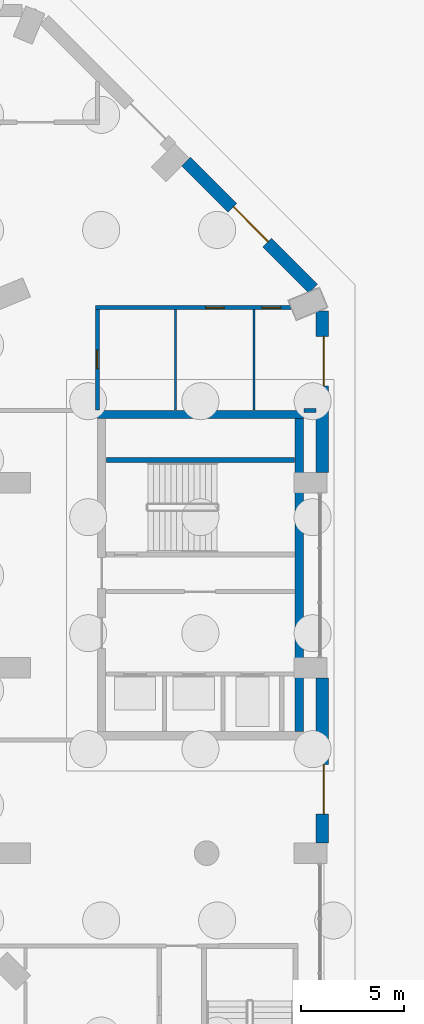
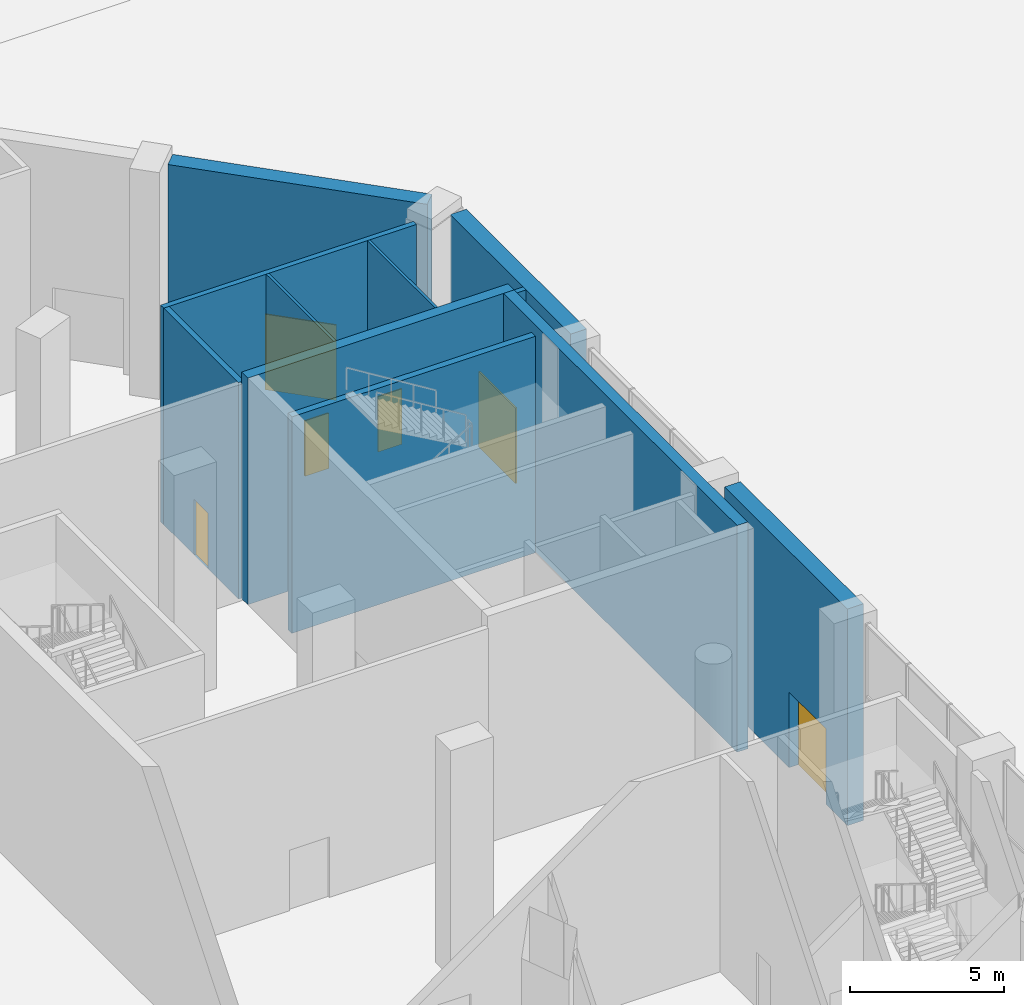
# One storey, part 13 of 25: 11 walls, 6 doors, 6 openings.
"""IFC4 building model written with IfcOpenShell, lengths in metres."""

from ifc_helpers import new_model, si_unit, direction, frame, frame_2d, origin, place, context, subcontext, project, spatial, rectangle, extrude, material, layer, layer_set, type_object, element, fill, save


model = new_model("IFC4")

# Units and contexts
model_context = context("Model", 3, precision=1e-05, world=origin(), true_north=direction((0.0, 1.0)))
body_context = subcontext(model_context, "Body", "Model", "MODEL_VIEW")
ifc_project = project(units=[si_unit("LENGTHUNIT", "METRE"), si_unit("AREAUNIT", "SQUARE_METRE"), si_unit("VOLUMEUNIT", "CUBIC_METRE"), si_unit("PLANEANGLEUNIT", "RADIAN"), si_unit("MASSUNIT", "GRAM", prefix="KILO")], contexts=[model_context])

# Site, building, storey
site_placement = place(None, origin())
site = spatial("IfcSite", under=ifc_project, at=site_placement, CompositionType="ELEMENT")
building_placement = place(site_placement, origin())
building = spatial("IfcBuilding", under=site, at=building_placement, Name="Cypress Arch Tower", CompositionType="ELEMENT")
storey_placement = place(building_placement, origin())
storey = spatial("IfcBuildingStorey", under=building, at=storey_placement, Name="L00", CompositionType="ELEMENT", Elevation=0.0)

# Wall, opening, door
ifc_material_1 = material(Name="Brick (red buff blend) on blockwork backing", Category="masonry")
ifc_layer_1 = layer(ifc_material_1, 0.60009765625)
ifc_layer_set_1 = layer_set([ifc_layer_1], Name="Brick base wall BW600")
wall_type_1 = type_object("IfcWallType", Name="Brick base wall BW600", PredefinedType="ELEMENTEDWALL", material=ifc_layer_set_1)
wall_1_placement = place(storey_placement, frame((38.925048828125, -13.0, 0.0), z_axis=(0.0, 0.0, 1.0), x_axis=(0.0, 1.0, 0.0)))
wall_1 = element("IfcWall", 1, at=wall_1_placement, inside=storey, type_object=wall_type_1, Name="Brick wall L00 P01.2", PredefinedType="ELEMENTEDWALL", context=body_context, shape_type="SweptSolid", body=[
    extrude(rectangle(XDim=8.0, YDim=0.60009765625, at=frame_2d((4.0, 0.0))), origin(), (0.0, 0.0, 1.0), 8.60009765625),
])
opening_1_placement = place(wall_1_placement, frame((1.39990234375, 0.0, 0.0)))
opening_1 = element("IfcOpeningElement", 2, at=opening_1_placement, cuts=wall_1, Name="Opening DE2400", PredefinedType="OPENING", context=body_context, shape_type="SweptSolid", body=[
    extrude(rectangle(XDim=2.39990234375, YDim=3.0, at=frame_2d((1.199951171875, 1.5))), frame((0.0, 0.31005859375, 0.0), z_axis=(0.0, -1.0, 0.0), x_axis=(1.0, 0.0, 0.0)), (0.0, 0.0, 1.0), 0.6201171875),
])
ifc_material_2 = material(Name="Anodised aluminium, bronze finish, clear low-emissivity double glazing", Category="aluminium")
door_type_1 = type_object("IfcDoorType", Name="Entrance door double 2400x3000", OperationType="DOUBLE_DOOR_SINGLE_SWING", PredefinedType="DOOR", material=ifc_material_2)
door_1_placement = place(opening_1_placement, origin())
door_1 = element("IfcDoor", 3, at=door_1_placement, inside=storey, type_object=door_type_1, Name="Exterior door L00 P01.2.1", OperationType="DOUBLE_DOOR_SINGLE_SWING", OverallHeight=3.0, OverallWidth=2.39990234375, PredefinedType="DOOR", context=body_context, shape_type="SweptSolid", body=[
    extrude(rectangle(XDim=2.39990234375, YDim=3.0, at=frame_2d((1.199951171875, 1.5))), frame((0.0, -0.0498046875, 0.0), z_axis=(0.0, -1.0, 0.0), x_axis=(1.0, 0.0, 0.0)), (0.0, 0.0, 1.0), 0.050048828125),
])
fill(opening_1, door_1)

wall_2_placement = place(storey_placement, frame((38.925048828125, 5.0, 0.0), z_axis=(0.0, 0.0, 1.0), x_axis=(0.0, 1.0, 0.0)))
wall_2 = element("IfcWall", 4, at=wall_2_placement, inside=storey, type_object=wall_type_1, Name="Brick wall L00 P01.4", PredefinedType="ELEMENTEDWALL", context=body_context, shape_type="SweptSolid", body=[
    extrude(rectangle(XDim=7.83447265625, YDim=0.60009765625, at=frame_2d((3.917236328125, 0.0))), origin(), (0.0, 0.0, 1.0), 8.60009765625),
])
opening_2_placement = place(wall_2_placement, frame((4.199951171875, 0.0, 0.0)))
opening_2 = element("IfcOpeningElement", 5, at=opening_2_placement, cuts=wall_2, Name="Opening DE2400", PredefinedType="OPENING", context=body_context, shape_type="SweptSolid", body=[
    extrude(rectangle(XDim=2.39990234375, YDim=3.0, at=frame_2d((1.199951171875, 1.5))), frame((0.0, 0.31005859375, 0.0), z_axis=(0.0, -1.0, 0.0), x_axis=(1.0, 0.0, 0.0)), (0.0, 0.0, 1.0), 0.6201171875),
])
door_2_placement = place(opening_2_placement, origin())
door_2 = element("IfcDoor", 6, at=door_2_placement, inside=storey, type_object=door_type_1, Name="Exterior door L00 P01.4.1", OperationType="DOUBLE_DOOR_SINGLE_SWING", OverallHeight=3.0, OverallWidth=2.39990234375, PredefinedType="DOOR", context=body_context, shape_type="SweptSolid", body=[
    extrude(rectangle(XDim=2.39990234375, YDim=3.0, at=frame_2d((1.199951171875, 1.5))), frame((0.0, -0.0498046875, 0.0), z_axis=(0.0, -1.0, 0.0), x_axis=(1.0, 0.0, 0.0)), (0.0, 0.0, 1.0), 0.050048828125),
])
fill(opening_2, door_2)

wall_3_placement = place(storey_placement, frame((38.476318359375, 13.91748046875, 0.0), z_axis=(0.0, 0.0, 1.0), x_axis=(-0.707092804673, 0.707120757424, 0.0)))
wall_3 = element("IfcWall", 7, at=wall_3_placement, inside=storey, type_object=wall_type_1, Name="Brick wall L00 P02.0", PredefinedType="ELEMENTEDWALL", context=body_context, shape_type="SweptSolid", body=[
    extrude(rectangle(XDim=8.734130859375, YDim=0.60009765625, at=frame_2d((4.3671875, 0.0))), origin(), (0.0, 0.0, 1.0), 8.60009765625),
])
opening_3_placement = place(wall_3_placement, frame((3.155029296875, 0.0, 0.0)))
opening_3 = element("IfcOpeningElement", 8, at=opening_3_placement, cuts=wall_3, Name="Opening DE2400", PredefinedType="OPENING", context=body_context, shape_type="SweptSolid", body=[
    extrude(rectangle(XDim=2.39990234375, YDim=3.0, at=frame_2d((1.199951171875, 1.5))), frame((0.0, 0.31005859375, 0.0), z_axis=(0.0, -1.0, 0.0), x_axis=(1.0, 0.0, 0.0)), (0.0, 0.0, 1.0), 0.6201171875),
])
door_3_placement = place(opening_3_placement, origin())
door_3 = element("IfcDoor", 9, at=door_3_placement, inside=storey, type_object=door_type_1, Name="Exterior door L00 P02.0.1", OperationType="DOUBLE_DOOR_SINGLE_SWING", OverallHeight=3.0, OverallWidth=2.39990234375, PredefinedType="DOOR", context=body_context, shape_type="SweptSolid", body=[
    extrude(rectangle(XDim=2.39990234375, YDim=3.0, at=frame_2d((1.199951171875, 1.5))), frame((0.0, -0.0498046875, 0.0), z_axis=(0.0, -1.0, 0.0), x_axis=(1.0, 0.0, 0.0)), (0.0, 0.0, 1.0), 0.050048828125),
])
fill(opening_3, door_3)

ifc_material_3 = material(Name="Concrete blockwork, plastered, rated", Category="masonry")
ifc_layer_2 = layer(ifc_material_3, 0.199951171875)
ifc_layer_set_2 = layer_set([ifc_layer_2], Name="Corridor wall FW200")
wall_type_2 = type_object("IfcWallType", Name="Corridor wall FW200", PredefinedType="PARTITIONING", material=ifc_layer_set_2)
wall_4_placement = place(storey_placement, frame((28.0, 8.030029296875, 0.0), z_axis=(0.0, 0.0, 1.0), x_axis=(0.0, 1.0, 0.0)))
wall_4 = element("IfcWall", 10, at=wall_4_placement, inside=storey, type_object=wall_type_2, Name="Corridor wall", PredefinedType="PARTITIONING", context=body_context, shape_type="SweptSolid", body=[
    extrude(rectangle(XDim=4.869873046875, YDim=0.199951171875, at=frame_2d((2.43505859375, 0.0))), origin(), (0.0, 0.0, 1.0), 8.597900390625),
])
opening_4_placement = place(wall_4_placement, frame((2.0, 0.0, 0.0)))
opening_4 = element("IfcOpeningElement", 11, at=opening_4_placement, cuts=wall_4, Name="Opening D03", PredefinedType="OPENING", context=body_context, shape_type="SweptSolid", body=[
    extrude(rectangle(XDim=0.89990234375, YDim=2.199951171875, at=frame_2d((0.449951171875, 1.10009765625))), frame((0.0, 0.10986328125, 0.0), z_axis=(0.0, -1.0, 0.0), x_axis=(1.0, 0.0, 0.0)), (0.0, 0.0, 1.0), 0.219970703125),
])
ifc_material_4 = material(Name="Timber flush door, moisture resistant", Category="wood")
door_type_2 = type_object("IfcDoorType", Name="Bathroom door D03 900x2200", OperationType="SINGLE_SWING_LEFT", PredefinedType="DOOR", material=ifc_material_4)
door_4_placement = place(opening_4_placement, origin())
door_4 = element("IfcDoor", 12, at=door_4_placement, inside=storey, type_object=door_type_2, Name="Bathroom door", OperationType="SINGLE_SWING_LEFT", OverallHeight=2.199951171875, OverallWidth=0.89990234375, PredefinedType="DOOR", context=body_context, shape_type="SweptSolid", body=[
    extrude(rectangle(XDim=0.89990234375, YDim=2.199951171875, at=frame_2d((0.449951171875, 1.10009765625))), frame((0.0, 0.02490234375, 0.0), z_axis=(0.0, -1.0, 0.0), x_axis=(1.0, 0.0, 0.0)), (0.0, 0.0, 1.0), 0.050048828125),
])
fill(opening_4, door_4)

# Wall, openings, doors
wall_5_placement = place(storey_placement, frame((27.89990234375, 13.0, 0.0), z_axis=(0.0, 0.0, 1.0), x_axis=(1.0, 0.0, 0.0)))
wall_5 = element("IfcWall", 13, at=wall_5_placement, inside=storey, type_object=wall_type_2, Name="Corridor wall", PredefinedType="PARTITIONING", context=body_context, shape_type="SweptSolid", body=[
    extrude(rectangle(XDim=9.496826171875, YDim=0.199951171875, at=frame_2d((4.74853515625, 0.0))), origin(), (0.0, 0.0, 1.0), 8.597900390625),
])
opening_5_placement = place(wall_5_placement, frame((5.35009765625, 0.0, 0.0)))
opening_5 = element("IfcOpeningElement", 14, at=opening_5_placement, cuts=wall_5, Name="Opening D03", PredefinedType="OPENING", context=body_context, shape_type="SweptSolid", body=[
    extrude(rectangle(XDim=0.89990234375, YDim=2.199951171875, at=frame_2d((0.449951171875, 1.10009765625))), frame((0.0, 0.10986328125, 0.0), z_axis=(0.0, -1.0, 0.0), x_axis=(1.0, 0.0, 0.0)), (0.0, 0.0, 1.0), 0.219970703125),
])
opening_6_placement = place(wall_5_placement, frame((8.10009765625, 0.0, 0.0)))
opening_6 = element("IfcOpeningElement", 15, at=opening_6_placement, cuts=wall_5, Name="Opening D03", PredefinedType="OPENING", context=body_context, shape_type="SweptSolid", body=[
    extrude(rectangle(XDim=0.89990234375, YDim=2.199951171875, at=frame_2d((0.449951171875, 1.10009765625))), frame((0.0, 0.10986328125, 0.0), z_axis=(0.0, -1.0, 0.0), x_axis=(1.0, 0.0, 0.0)), (0.0, 0.0, 1.0), 0.219970703125),
])
door_5_placement = place(opening_5_placement, origin())
door_5 = element("IfcDoor", 16, at=door_5_placement, inside=storey, type_object=door_type_2, Name="Bathroom door", OperationType="SINGLE_SWING_LEFT", OverallHeight=2.199951171875, OverallWidth=0.89990234375, PredefinedType="DOOR", context=body_context, shape_type="SweptSolid", body=[
    extrude(rectangle(XDim=0.89990234375, YDim=2.199951171875, at=frame_2d((0.449951171875, 1.10009765625))), frame((0.0, 0.02490234375, 0.0), z_axis=(0.0, -1.0, 0.0), x_axis=(1.0, 0.0, 0.0)), (0.0, 0.0, 1.0), 0.050048828125),
])
fill(opening_5, door_5)
door_6_placement = place(opening_6_placement, origin())
door_6 = element("IfcDoor", 17, at=door_6_placement, inside=storey, type_object=door_type_2, Name="Bathroom door", OperationType="SINGLE_SWING_RIGHT", OverallHeight=2.199951171875, OverallWidth=0.89990234375, PredefinedType="DOOR", context=body_context, shape_type="SweptSolid", body=[
    extrude(rectangle(XDim=0.89990234375, YDim=2.199951171875, at=frame_2d((0.449951171875, 1.10009765625))), frame((0.0, 0.02490234375, 0.0), z_axis=(0.0, -1.0, 0.0), x_axis=(1.0, 0.0, 0.0)), (0.0, 0.0, 1.0), 0.050048828125),
])
fill(opening_6, door_6)

# Walls
wall_6_placement = place(storey_placement, frame((38.030029296875, 8.0, 0.0), z_axis=(0.0, 0.0, 1.0), x_axis=(1.0, 0.0, 0.0)))
element("IfcWall", 18, at=wall_6_placement, inside=storey, type_object=wall_type_2, Name="Corridor wall", PredefinedType="PARTITIONING", context=body_context, shape_type="SweptSolid", body=[
    extrude(rectangle(XDim=0.594970703125, YDim=0.199951171875, at=frame_2d((0.29736328125, 0.0))), origin(), (0.0, 0.0, 1.0), 8.597900390625),
])
ifc_material_5 = material(Name="Concrete C60/75", Category="concrete")
ifc_layer_3 = layer(ifc_material_5, 0.39990234375)
ifc_layer_set_3 = layer_set([ifc_layer_3], Name="East core wall CW400 C60/75")
wall_type_3 = type_object("IfcWallType", Name="East core wall CW400 C60/75", PredefinedType="SHEAR", material=ifc_layer_set_3)
wall_7_placement = place(storey_placement, frame((28.0, 7.800048828125, 0.0), z_axis=(0.0, 0.0, 1.0), x_axis=(1.0, 0.0, 0.0)))
element("IfcWall", 19, at=wall_7_placement, inside=storey, type_object=wall_type_3, Name="East core wall", PredefinedType="SHEAR", context=body_context, shape_type="SweptSolid", body=[
    extrude(rectangle(XDim=10.0, YDim=0.39990234375, at=frame_2d((5.0, 0.0))), origin(), (0.0, 0.0, 1.0), 9.0),
])
wall_8_placement = place(storey_placement, frame((37.800048828125, -7.60009765625, 0.0), z_axis=(0.0, 0.0, 1.0), x_axis=(0.0, 1.0, 0.0)))
element("IfcWall", 20, at=wall_8_placement, inside=storey, type_object=wall_type_3, Name="East core wall", PredefinedType="SHEAR", context=body_context, shape_type="SweptSolid", body=[
    extrude(rectangle(XDim=15.2001953125, YDim=0.39990234375, at=frame_2d((7.60009765625, 0.0))), origin(), (0.0, 0.0, 1.0), 9.0),
])
ifc_material_6 = material(Name="Concrete C50/60", Category="concrete")
ifc_layer_4 = layer(ifc_material_6, 0.25)
ifc_layer_set_4 = layer_set([ifc_layer_4], Name="Stair enclosure wall SW250")
wall_type_4 = type_object("IfcWallType", Name="Stair enclosure wall SW250", PredefinedType="SHEAR", material=ifc_layer_set_4)
wall_9_placement = place(storey_placement, frame((28.429931640625, 5.60009765625, 0.0), z_axis=(0.0, 0.0, 1.0), x_axis=(1.0, 0.0, 0.0)))
element("IfcWall", 21, at=wall_9_placement, inside=storey, type_object=wall_type_4, Name="Stair enclosure wall", PredefinedType="SHEAR", context=body_context, shape_type="SweptSolid", body=[
    extrude(rectangle(XDim=9.14013671875, YDim=0.25, at=frame_2d((4.570068359375, 0.0))), origin(), (0.0, 0.0, 1.0), 8.597900390625),
])
ifc_material_7 = material(Name="Moisture resistant board on steel studs, tiled", Category="steel")
ifc_layer_5 = layer(ifc_material_7, 0.10009765625)
ifc_layer_set_5 = layer_set([ifc_layer_5], Name="Wet wall PW100")
wall_type_5 = type_object("IfcWallType", Name="Wet wall PW100", PredefinedType="PARTITIONING", material=ifc_layer_set_5)
for number, where, z_axis, x_axis, name in (
    (22, (31.800048828125, 8.030029296875, 0.0), (0.0, 0.0, 1.0), (0.0, 1.0, 0.0), "Wet wall"),
    (23, (35.60009765625, 8.030029296875, 0.0), (0.0, 0.0, 1.0), (0.0, 1.0, 0.0), "Wet wall"),
):
    element("IfcWall", number, at=place(storey_placement, frame(where, z_axis=z_axis, x_axis=x_axis)), inside=storey, type_object=wall_type_5, Name=name, PredefinedType="PARTITIONING", context=body_context, shape_type="SweptSolid", body=[
        extrude(rectangle(XDim=4.869873046875, YDim=0.10009765625, at=frame_2d((2.43505859375, 0.0))), origin(), (0.0, 0.0, 1.0), 8.597900390625),
    ])

save(model, "model.ifc")
